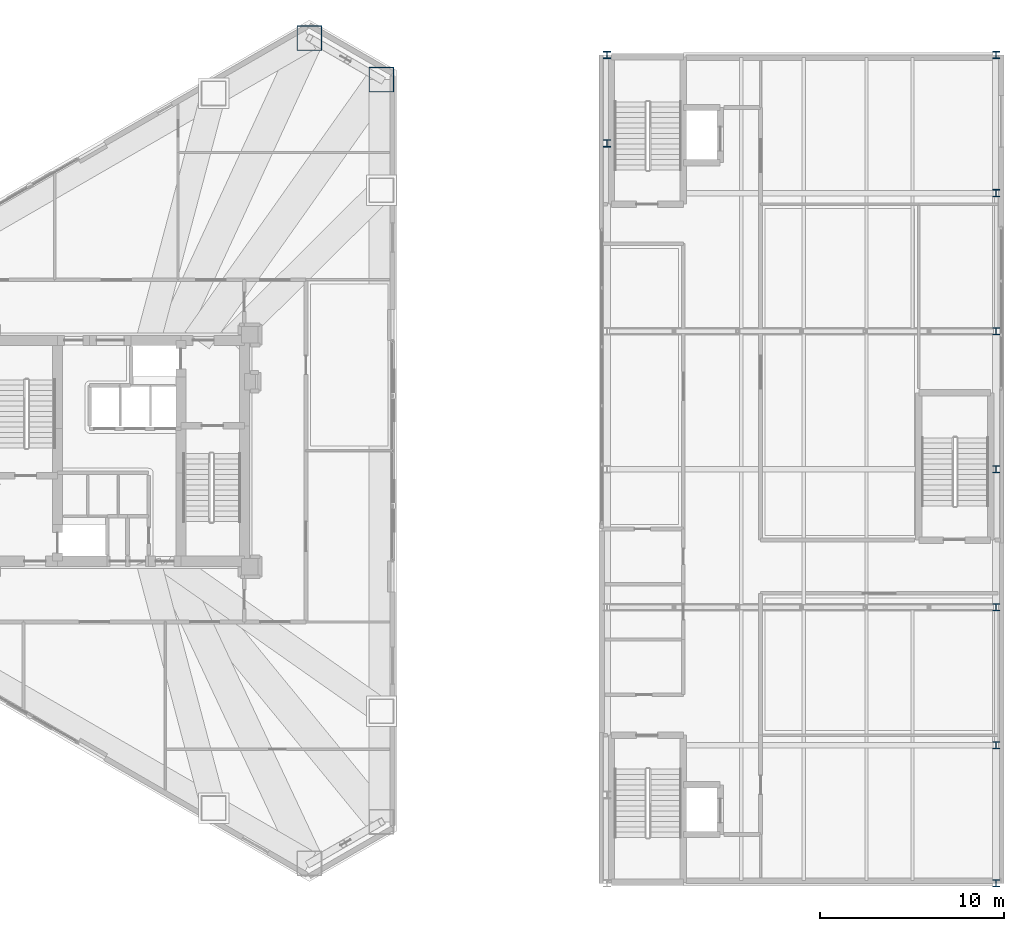
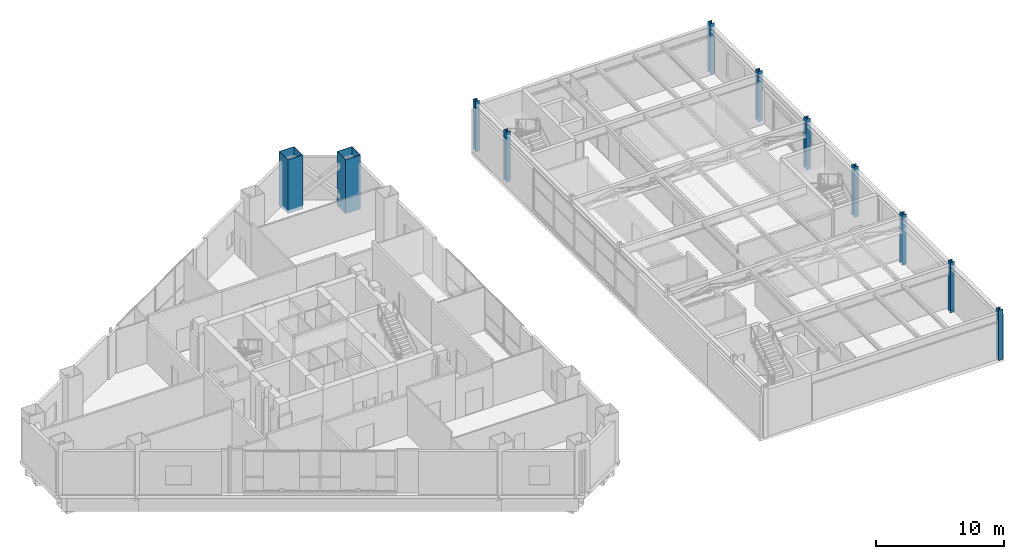
# One storey, part 2 of 29: 11 columns.
"""IFC4 building model written with IfcOpenShell, lengths in metres."""

from ifc_helpers import new_model, si_unit, direction, frame, origin, origin_2d, place, context, subcontext, project, spatial, hollow_rectangle, i_section, extrude, material, material_profile, profile_set, type_object, element, save


model = new_model("IFC4")

# Units and contexts
model_context = context("Model", 3, precision=1e-05, world=origin(), true_north=direction((0.0, 1.0)))
body_context = subcontext(model_context, "Body", "Model", "MODEL_VIEW")
ifc_project = project(units=[si_unit("LENGTHUNIT", "METRE"), si_unit("AREAUNIT", "SQUARE_METRE"), si_unit("VOLUMEUNIT", "CUBIC_METRE"), si_unit("PLANEANGLEUNIT", "RADIAN"), si_unit("MASSUNIT", "GRAM", prefix="KILO")], contexts=[model_context])

# Site, building, storey
site_placement = place(None, origin())
site = spatial("IfcSite", under=ifc_project, at=site_placement, CompositionType="ELEMENT")
building_placement = place(site_placement, origin())
building = spatial("IfcBuilding", under=site, at=building_placement, Name="Mersakhor Tower and Convention Hall", CompositionType="ELEMENT")
storey_placement = place(building_placement, frame((0.0, 0.0, 9.60009765625)))
storey = spatial("IfcBuildingStorey", under=building, at=storey_placement, Name="L02", CompositionType="ELEMENT", Elevation=9.60009765625)

# Columns
ifc_material_1 = material(Name="Concrete C70/85 in S460M steel box", Category="concrete")
ifc_material_profile_1 = material_profile(ifc_material_1, hollow_rectangle(XDim=1.35009765625, YDim=1.35009765625, WallThickness=0.035888671875, at=origin_2d()), Name="SHS 1350x1350x36")
ifc_profile_set_1 = profile_set([ifc_material_profile_1], Name="Concrete C70/85 in S460M steel box")
column_type_1 = type_object("IfcColumnType", Name="COL-CFT-1350", PredefinedType="COLUMN", material=ifc_profile_set_1)
for number, where, z_axis, x_axis, name in (
    (1, (39.3369140625, 49.172607421875, -0.320068359375), (0.0, 0.0, 1.0), (1.0, 0.0, 0.0), "L02 Perimeter Mega-Column MC-04"),
    (2, (43.25, 46.913330078125, -0.320068359375), (0.0, 0.0, 1.0), (1.0, 0.0, 0.0), "L02 Perimeter Mega-Column MC-05"),
):
    element("IfcColumn", number, at=place(storey_placement, frame(where, z_axis=z_axis, x_axis=x_axis)), inside=storey, type_object=column_type_1, Name=name, PredefinedType="COLUMN", context=body_context, shape_type="SweptSolid", body=[
        extrude(hollow_rectangle(XDim=1.35009765625, YDim=1.35009765625, WallThickness=0.035888671875, at=origin_2d()), origin(), (0.0, 0.0, 1.0), 5.119873046875),
    ])
ifc_material_2 = material(Name="Steel S355", Category="steel")
ifc_material_profile_2 = material_profile(ifc_material_2, i_section(OverallWidth=0.39892578125, OverallDepth=0.3935546875, WebThickness=0.022705078125, FlangeThickness=0.03662109375, at=origin_2d()), Name="UC 356x406x287")
ifc_profile_set_2 = profile_set([ifc_material_profile_2], Name="Steel S355")
column_type_2 = type_object("IfcColumnType", Name="COL-STL-UC356", PredefinedType="COLUMN", material=ifc_profile_set_2)
for number, where, z_axis, x_axis, name in (
    (3, (55.5, 43.449951171875, 0.0), (0.0, 0.0, 1.0), (1.0, 0.0, 0.0), "Convention L02 Perimeter Column SC-W6"),
    (4, (55.5, 48.25, 0.0), (0.0, 0.0, 1.0), (1.0, 0.0, 0.0), "Convention L02 Perimeter Column SC-W7"),
    (5, (76.64990234375, 3.25, 0.0), (0.0, 0.0, 1.0), (1.0, 0.0, 0.0), "Convention L02 Perimeter Column SC-E1"),
    (6, (76.64990234375, 10.75, 0.0), (0.0, 0.0, 1.0), (1.0, 0.0, 0.0), "Convention L02 Perimeter Column SC-E2"),
    (7, (76.64990234375, 18.25, 0.0), (0.0, 0.0, 1.0), (1.0, 0.0, 0.0), "Convention L02 Perimeter Column SC-E3"),
    (8, (76.64990234375, 25.75, 0.0), (0.0, 0.0, 1.0), (1.0, 0.0, 0.0), "Convention L02 Perimeter Column SC-E4"),
    (9, (76.64990234375, 33.25, 0.0), (0.0, 0.0, 1.0), (1.0, 0.0, 0.0), "Convention L02 Perimeter Column SC-E5"),
    (10, (76.64990234375, 40.75, 0.0), (0.0, 0.0, 1.0), (1.0, 0.0, 0.0), "Convention L02 Perimeter Column SC-E6"),
    (11, (76.64990234375, 48.25, 0.0), (0.0, 0.0, 1.0), (1.0, 0.0, 0.0), "Convention L02 Perimeter Column SC-E7"),
):
    element("IfcColumn", number, at=place(storey_placement, frame(where, z_axis=z_axis, x_axis=x_axis)), inside=storey, type_object=column_type_2, Name=name, PredefinedType="COLUMN", context=body_context, shape_type="SweptSolid", body=[
        extrude(i_section(OverallWidth=0.39892578125, OverallDepth=0.3935546875, WebThickness=0.022705078125, FlangeThickness=0.03662109375, at=origin_2d()), origin(), (0.0, 0.0, 1.0), 4.7998046875),
    ])

save(model, "model.ifc")
